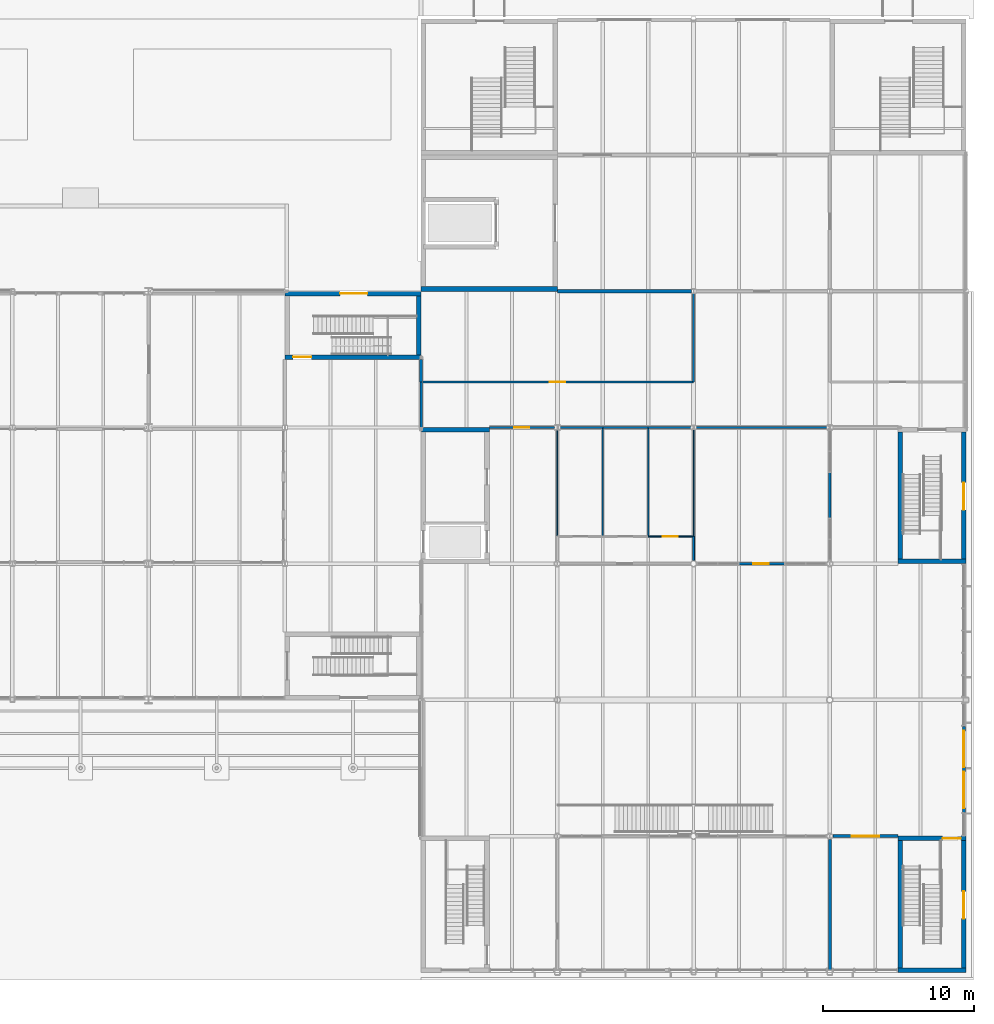
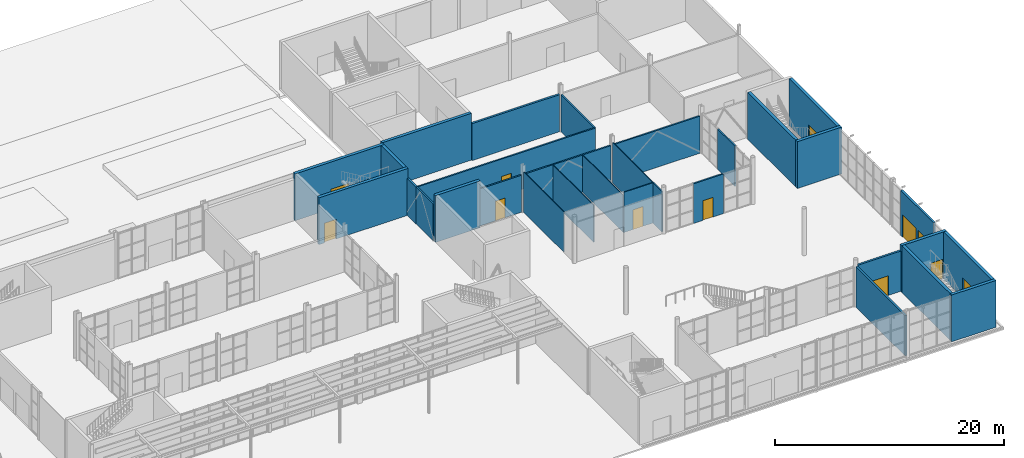
# One storey, part 39 of 63: 33 walls, 12 doors, 12 openings.
"""IFC4 building model written with IfcOpenShell, lengths in metres."""

from ifc_helpers import new_model, si_unit, direction, frame, frame_2d, origin, place, context, subcontext, project, spatial, rectangle, extrude, material, layer, layer_set, type_object, element, fill, save


model = new_model("IFC4")

# Units and contexts
model_context = context("Model", 3, precision=1e-05, world=origin(), true_north=direction((0.0, 1.0)))
body_context = subcontext(model_context, "Body", "Model", "MODEL_VIEW")
ifc_project = project(units=[si_unit("LENGTHUNIT", "METRE"), si_unit("AREAUNIT", "SQUARE_METRE"), si_unit("VOLUMEUNIT", "CUBIC_METRE"), si_unit("PLANEANGLEUNIT", "RADIAN"), si_unit("MASSUNIT", "GRAM", prefix="KILO")], contexts=[model_context])

# Site, building, storey
site_placement = place(None, origin())
site = spatial("IfcSite", under=ifc_project, at=site_placement, CompositionType="ELEMENT")
building_placement = place(site_placement, origin())
building = spatial("IfcBuilding", under=site, at=building_placement, Name="Halyard Row Museum", CompositionType="ELEMENT")
storey_placement = place(building_placement, origin())
storey = spatial("IfcBuildingStorey", under=building, at=storey_placement, Name="L00", CompositionType="ELEMENT", Elevation=0.0)

# Wall, opening, door
ifc_material_1 = material(Name="Plasterboard on steel studs with mineral wool", Category="steel")
ifc_layer_1 = layer(ifc_material_1, 0.14990234375)
ifc_layer_set_1 = layer_set([ifc_layer_1], Name="Plasterboard on steel studs with mineral wool")
wall_type_1 = type_object("IfcWallType", Name="Acoustic stud partition 150", PredefinedType="PARTITIONING", material=ifc_layer_set_1)
wall_1_placement = place(storey_placement, frame((93.0, 27.0, 0.0), z_axis=(0.0, 0.0, 1.0), x_axis=(1.0, 0.0, 0.0)))
wall_1 = element("IfcWall", 1, at=wall_1_placement, inside=storey, type_object=wall_type_1, Name="Partition Atrium / Education Studio", PredefinedType="PARTITIONING", context=body_context, shape_type="SweptSolid", body=[
    extrude(rectangle(XDim=3.0, YDim=0.14990234375, at=frame_2d((1.5, 0.0))), origin(), (0.0, 0.0, 1.0), 4.22802734375),
])
opening_1_placement = place(wall_1_placement, frame((0.949951171875, 0.0, 0.0)))
opening_1 = element("IfcOpeningElement", 2, at=opening_1_placement, cuts=wall_1, Name="Opening DL00-042", PredefinedType="OPENING", context=body_context, shape_type="SweptSolid", body=[
    extrude(rectangle(XDim=1.0, YDim=2.10009765625, at=frame_2d((0.5, 1.050048828125))), frame((0.0, 0.0849609375, 0.0), z_axis=(0.0, -1.0, 0.0), x_axis=(1.0, 0.0, 0.0)), (0.0, 0.0, 1.0), 0.169921875),
])
ifc_material_2 = material(Name="Timber veneered door leaf and softwood frame", Category="wood")
door_type_1 = type_object("IfcDoorType", Name="Single door 1000 x 2100", OperationType="NOTDEFINED", PredefinedType="DOOR", material=ifc_material_2)
door_1_placement = place(opening_1_placement, origin())
door_1 = element("IfcDoor", 3, at=door_1_placement, inside=storey, type_object=door_type_1, Name="Door Education Studio to Atrium", OperationType="SINGLE_SWING_LEFT", OverallHeight=2.10009765625, OverallWidth=1.0, PredefinedType="DOOR", context=body_context, shape_type="SweptSolid", body=[
    extrude(rectangle(XDim=1.0, YDim=2.10009765625, at=frame_2d((0.5, 1.050048828125))), frame((0.0, 0.02490234375, 0.0), z_axis=(0.0, -1.0, 0.0), x_axis=(1.0, 0.0, 0.0)), (0.0, 0.0, 1.0), 0.050048828125),
])
fill(opening_1, door_1)

# Walls
ifc_material_3 = material(Name="Plasterboard on steel studs with mineral wool", Category="steel")
ifc_layer_2 = layer(ifc_material_3, 0.14990234375)
ifc_layer_set_2 = layer_set([ifc_layer_2], Name="Plasterboard on steel studs with mineral wool")
wall_type_2 = type_object("IfcWallType", Name="Acoustic stud partition 150 fire rated", PredefinedType="PARTITIONING", material=ifc_layer_set_2)
wall_2_placement = place(storey_placement, frame((99.0, 30.016845703125, 0.0), z_axis=(0.0, 0.0, 1.0), x_axis=(0.0, 1.0, 0.0)))
element("IfcWall", 4, at=wall_2_placement, inside=storey, type_object=wall_type_2, Name="Partition Education Studio / Stair Lobby K2C", PredefinedType="PARTITIONING", context=body_context, shape_type="SweptSolid", body=[
    extrude(rectangle(XDim=3.0, YDim=0.14990234375, at=frame_2d((1.5, 0.0))), origin(), (0.0, 0.0, 1.0), 4.302001953125),
])
ifc_material_4 = material(Name="Concrete masonry 15 MPa", Category="masonry")
ifc_layer_3 = layer(ifc_material_4, 0.199951171875)
ifc_layer_set_3 = layer_set([ifc_layer_3], Name="Concrete masonry 15 MPa")
wall_type_3 = type_object("IfcWallType", Name="Blockwork wall 200 fire rated", PredefinedType="PARTITIONING", material=ifc_layer_set_3)
wall_3_placement = place(storey_placement, frame((72.0, 39.0, 0.0), z_axis=(0.0, 0.0, 1.0), x_axis=(0.0, 1.0, 0.0)))
element("IfcWall", 5, at=wall_3_placement, inside=storey, type_object=wall_type_3, Name="Partition Lift Lobby L00 West / Crate Store", PredefinedType="PARTITIONING", context=body_context, shape_type="SweptSolid", body=[
    extrude(rectangle(XDim=1.5, YDim=0.199951171875, at=frame_2d((0.75, 0.0))), origin(), (0.0, 0.0, 1.0), 3.9580078125),
])

# Wall, opening, door
wall_4_placement = place(storey_placement, frame((99.203125, 9.0, 0.0), z_axis=(0.0, 0.0, 1.0), x_axis=(1.0, 0.0, 0.0)))
wall_4 = element("IfcWall", 6, at=wall_4_placement, inside=storey, type_object=wall_type_3, Name="Partition East Entrance Hall / Cloakroom", PredefinedType="PARTITIONING", context=body_context, shape_type="SweptSolid", body=[
    extrude(rectangle(XDim=4.296875, YDim=0.199951171875, at=frame_2d((2.1484375, 0.0))), origin(), (0.0, 0.0, 1.0), 4.302001953125),
])
opening_2_placement = place(wall_4_placement, frame((1.25, 0.0, 0.0)))
opening_2 = element("IfcOpeningElement", 7, at=opening_2_placement, cuts=wall_4, Name="Opening DL00-041", PredefinedType="OPENING", context=body_context, shape_type="SweptSolid", body=[
    extrude(rectangle(XDim=1.800048828125, YDim=2.10009765625, at=frame_2d((0.89990234375, 1.050048828125))), frame((0.0, 0.10986328125, 0.0), z_axis=(0.0, -1.0, 0.0), x_axis=(1.0, 0.0, 0.0)), (0.0, 0.0, 1.0), 0.219970703125),
])
ifc_material_5 = material(Name="Timber veneered door leaf and softwood frame", Category="wood")
door_type_2 = type_object("IfcDoorType", Name="Double door 1800 x 2100 fire rated", OperationType="NOTDEFINED", PredefinedType="DOOR", material=ifc_material_5)
door_2_placement = place(opening_2_placement, frame((1.800048828125, 0.0, 0.0), z_axis=(0.0, 0.0, 1.0), x_axis=(-1.0, 0.0, 0.0)))
door_2 = element("IfcDoor", 8, at=door_2_placement, inside=storey, type_object=door_type_2, Name="Door Cloakroom to East Entrance Hall", OperationType="DOUBLE_DOOR_SINGLE_SWING", OverallHeight=2.10009765625, OverallWidth=1.800048828125, PredefinedType="DOOR", context=body_context, shape_type="SweptSolid", body=[
    extrude(rectangle(XDim=1.800048828125, YDim=2.10009765625, at=frame_2d((0.89990234375, 1.050048828125))), frame((0.0, 0.02490234375, 0.0), z_axis=(0.0, -1.0, 0.0), x_axis=(1.0, 0.0, 0.0)), (0.0, 0.0, 1.0), 0.050048828125),
])
fill(opening_2, door_2)

# Walls
wall_5_placement = place(storey_placement, frame((99.0, 0.175048828125, 0.0), z_axis=(0.0, 0.0, 1.0), x_axis=(0.0, 1.0, 0.0)))
element("IfcWall", 9, at=wall_5_placement, inside=storey, type_object=wall_type_3, Name="Partition Museum Shop / Cloakroom", PredefinedType="PARTITIONING", context=body_context, shape_type="SweptSolid", body=[
    extrude(rectangle(XDim=8.621826171875, YDim=0.199951171875, at=frame_2d((4.31103515625, 0.0))), origin(), (0.0, 0.0, 1.0), 4.302001953125),
])
wall_6_placement = place(storey_placement, frame((81.0, 45.0, 0.0), z_axis=(0.0, 0.0, 1.0), x_axis=(1.0, 0.0, 0.0)))
element("IfcWall", 10, at=wall_6_placement, inside=storey, type_object=wall_type_3, Name="Partition Crate Store / Receiving", PredefinedType="PARTITIONING", context=body_context, shape_type="SweptSolid", body=[
    extrude(rectangle(XDim=8.845458984375, YDim=0.199951171875, at=frame_2d((4.4228515625, 0.0))), origin(), (0.0, 0.0, 1.0), 3.9580078125),
])
ifc_material_6 = material(Name="Fire-resisting plasterboard on steel studs", Category="steel")
ifc_layer_4 = layer(ifc_material_6, 0.14990234375)
ifc_layer_set_4 = layer_set([ifc_layer_4], Name="Fire-resisting plasterboard on steel studs")
wall_type_4 = type_object("IfcWallType", Name="Compartment wall 150 fire rated", PredefinedType="PARTITIONING", material=ifc_layer_set_4)
wall_7_placement = place(storey_placement, frame((72.0, 36.0, 0.0), z_axis=(0.0, 0.0, 1.0), x_axis=(0.0, 1.0, 0.0)))
element("IfcWall", 11, at=wall_7_placement, inside=storey, type_object=wall_type_4, Name="Partition Lift Lobby L00 West / Object Route", PredefinedType="PARTITIONING", context=body_context, shape_type="SweptSolid", body=[
    extrude(rectangle(XDim=3.0, YDim=0.14990234375, at=frame_2d((1.5, 0.0))), origin(), (0.0, 0.0, 1.0), 3.9580078125),
])

# Wall, opening, door
wall_8_placement = place(storey_placement, frame((76.5, 36.0, 0.0), z_axis=(0.0, 0.0, 1.0), x_axis=(1.0, 0.0, 0.0)))
wall_8 = element("IfcWall", 12, at=wall_8_placement, inside=storey, type_object=wall_type_4, Name="Partition Lift Lobby L00 East / Object Route", PredefinedType="PARTITIONING", context=body_context, shape_type="SweptSolid", body=[
    extrude(rectangle(XDim=4.324951171875, YDim=0.14990234375, at=frame_2d((2.16259765625, 0.0))), origin(), (0.0, 0.0, 1.0), 3.9580078125),
])
opening_3_placement = place(wall_8_placement, frame((1.655029296875, 0.0, 0.0)))
opening_3 = element("IfcOpeningElement", 13, at=opening_3_placement, cuts=wall_8, Name="Opening DL00-032", PredefinedType="OPENING", context=body_context, shape_type="SweptSolid", body=[
    extrude(rectangle(XDim=1.0, YDim=2.10009765625, at=frame_2d((0.5, 1.050048828125))), frame((0.0, 0.0849609375, 0.0), z_axis=(0.0, -1.0, 0.0), x_axis=(1.0, 0.0, 0.0)), (0.0, 0.0, 1.0), 0.169921875),
])
ifc_material_7 = material(Name="Fire-resisting timber door leaf and steel frame", Category="steel")
door_type_3 = type_object("IfcDoorType", Name="Compartment door 1000 x 2100 fire rated", OperationType="NOTDEFINED", PredefinedType="DOOR", material=ifc_material_7)
door_3_placement = place(opening_3_placement, origin())
door_3 = element("IfcDoor", 14, at=door_3_placement, inside=storey, type_object=door_type_3, Name="Door Lift Lobby L00 East to Object Route", OperationType="SINGLE_SWING_RIGHT", OverallHeight=2.10009765625, OverallWidth=1.0, PredefinedType="DOOR", context=body_context, shape_type="SweptSolid", body=[
    extrude(rectangle(XDim=1.0, YDim=2.10009765625, at=frame_2d((0.5, 1.050048828125))), frame((0.0, 0.02490234375, 0.0), z_axis=(0.0, -1.0, 0.0), x_axis=(1.0, 0.0, 0.0)), (0.0, 0.0, 1.0), 0.050048828125),
])
fill(opening_3, door_3)

# Wall
wall_9_placement = place(storey_placement, frame((90.155517578125, 36.0, 0.0), z_axis=(0.0, 0.0, 1.0), x_axis=(1.0, 0.0, 0.0)))
element("IfcWall", 15, at=wall_9_placement, inside=storey, type_object=wall_type_4, Name="Partition Education Studio / Object Route", PredefinedType="PARTITIONING", context=body_context, shape_type="SweptSolid", body=[
    extrude(rectangle(XDim=8.66943359375, YDim=0.14990234375, at=frame_2d((4.334716796875, 0.0))), origin(), (0.0, 0.0, 1.0), 3.9580078125),
])

# Wall, opening, door
wall_10_placement = place(storey_placement, frame((72.0, 39.0, 0.0), z_axis=(0.0, 0.0, 1.0), x_axis=(1.0, 0.0, 0.0)))
wall_10 = element("IfcWall", 16, at=wall_10_placement, inside=storey, type_object=wall_type_4, Name="Partition Object Route / Crate Store", PredefinedType="PARTITIONING", context=body_context, shape_type="SweptSolid", body=[
    extrude(rectangle(XDim=18.0, YDim=0.14990234375, at=frame_2d((9.0, 0.0))), origin(), (0.0, 0.0, 1.0), 3.9580078125),
])
opening_4_placement = place(wall_10_placement, frame((8.510009765625, 0.0, 0.0)))
opening_4 = element("IfcOpeningElement", 17, at=opening_4_placement, cuts=wall_10, Name="Opening DL00-043", PredefinedType="OPENING", context=body_context, shape_type="SweptSolid", body=[
    extrude(rectangle(XDim=1.0, YDim=2.10009765625, at=frame_2d((0.5, 1.050048828125))), frame((0.0, 0.0849609375, 0.0), z_axis=(0.0, -1.0, 0.0), x_axis=(1.0, 0.0, 0.0)), (0.0, 0.0, 1.0), 0.169921875),
])
door_4_placement = place(opening_4_placement, origin())
door_4 = element("IfcDoor", 18, at=door_4_placement, inside=storey, type_object=door_type_3, Name="Door Crate Store to Object Route", OperationType="SINGLE_SWING_RIGHT", OverallHeight=2.10009765625, OverallWidth=1.0, PredefinedType="DOOR", context=body_context, shape_type="SweptSolid", body=[
    extrude(rectangle(XDim=1.0, YDim=2.10009765625, at=frame_2d((0.5, 1.050048828125))), frame((0.0, 0.02490234375, 0.0), z_axis=(0.0, -1.0, 0.0), x_axis=(1.0, 0.0, 0.0)), (0.0, 0.0, 1.0), 0.050048828125),
])
fill(opening_4, door_4)

# Walls
wall_11_placement = place(storey_placement, frame((90.0, 39.0, 0.0), z_axis=(0.0, 0.0, 1.0), x_axis=(0.0, 1.0, 0.0)))
element("IfcWall", 19, at=wall_11_placement, inside=storey, type_object=wall_type_4, Name="Partition Object Route / Crate Store", PredefinedType="PARTITIONING", context=body_context, shape_type="SweptSolid", body=[
    extrude(rectangle(XDim=5.839599609375, YDim=0.14990234375, at=frame_2d((2.919921875, 0.0))), origin(), (0.0, 0.0, 1.0), 3.9580078125),
])
wall_12_placement = place(storey_placement, frame((81.175048828125, 36.0, 0.0), z_axis=(0.0, 0.0, 1.0), x_axis=(1.0, 0.0, 0.0)))
element("IfcWall", 20, at=wall_12_placement, inside=storey, type_object=wall_type_4, Name="Partition Object Route / WC Women L00 Atrium", PredefinedType="PARTITIONING", context=body_context, shape_type="SweptSolid", body=[
    extrude(rectangle(XDim=2.824951171875, YDim=0.14990234375, at=frame_2d((1.41259765625, 0.0))), origin(), (0.0, 0.0, 1.0), 3.9580078125),
])
wall_13_placement = place(storey_placement, frame((84.0, 36.0, 0.0), z_axis=(0.0, 0.0, 1.0), x_axis=(1.0, 0.0, 0.0)))
element("IfcWall", 21, at=wall_13_placement, inside=storey, type_object=wall_type_4, Name="Partition Object Route / WC Men L00 Atrium", PredefinedType="PARTITIONING", context=body_context, shape_type="SweptSolid", body=[
    extrude(rectangle(XDim=3.0, YDim=0.14990234375, at=frame_2d((1.5, 0.0))), origin(), (0.0, 0.0, 1.0), 3.9580078125),
])
wall_14_placement = place(storey_placement, frame((87.0, 36.0, 0.0), z_axis=(0.0, 0.0, 1.0), x_axis=(1.0, 0.0, 0.0)))
element("IfcWall", 22, at=wall_14_placement, inside=storey, type_object=wall_type_4, Name="Partition Object Route / Accessible WC L00 Atrium", PredefinedType="PARTITIONING", context=body_context, shape_type="SweptSolid", body=[
    extrude(rectangle(XDim=2.844482421875, YDim=0.14990234375, at=frame_2d((1.42236328125, 0.0))), origin(), (0.0, 0.0, 1.0), 3.9580078125),
])
ifc_material_8 = material(Name="Concrete 40 MPa", Category="concrete")
ifc_layer_5 = layer(ifc_material_8, 0.300048828125)
ifc_layer_set_5 = layer_set([ifc_layer_5], Name="Concrete 40 MPa")
wall_type_5 = type_object("IfcWallType", Name="Core wall 300 lift shaft", PredefinedType="SOLIDWALL", material=ifc_layer_set_5)
wall_15_placement = place(storey_placement, frame((72.0, 45.14990234375, 0.0), z_axis=(0.0, 0.0, 1.0), x_axis=(1.0, 0.0, 0.0)))
element("IfcWall", 23, at=wall_15_placement, inside=storey, type_object=wall_type_5, Name="Core wall K8 S L00", PredefinedType="SOLIDWALL", context=body_context, shape_type="SweptSolid", body=[
    extrude(rectangle(XDim=9.0, YDim=0.300048828125, at=frame_2d((4.5, 0.0))), origin(), (0.0, 0.0, 1.0), 5.0),
])
wall_16_placement = place(storey_placement, frame((72.0, 35.85009765625, 0.0), z_axis=(0.0, 0.0, 1.0), x_axis=(1.0, 0.0, 0.0)))
element("IfcWall", 24, at=wall_16_placement, inside=storey, type_object=wall_type_5, Name="Core wall K7 N L00", PredefinedType="SOLIDWALL", context=body_context, shape_type="SweptSolid", body=[
    extrude(rectangle(XDim=4.5, YDim=0.300048828125, at=frame_2d((2.25, 0.0))), origin(), (0.0, 0.0, 1.0), 5.0),
])

# Wall, openings, doors
ifc_material_9 = material(Name="Powder-coated aluminium section", Category="aluminium")
ifc_layer_6 = layer(ifc_material_9, 0.199951171875)
ifc_layer_set_6 = layer_set([ifc_layer_6], Name="Powder-coated aluminium section")
wall_type_6 = type_object("IfcWallType", Name="Entrance screen frame 200 aluminium", PredefinedType="SOLIDWALL", material=ifc_layer_set_6)
wall_17_placement = place(storey_placement, frame((107.85009765625, 10.5625, 0.0), z_axis=(0.0, 0.0, 1.0), x_axis=(0.0, 1.0, 0.0)))
wall_17 = element("IfcWall", 25, at=wall_17_placement, inside=storey, type_object=wall_type_6, Name="Wall WL00-817", PredefinedType="SOLIDWALL", context=body_context, shape_type="SweptSolid", body=[
    extrude(rectangle(XDim=5.699951171875, YDim=0.199951171875, at=frame_2d((2.85009765625, 0.0))), origin(), (0.0, 0.0, 1.0), 4.8349609375),
])
opening_5_placement = place(wall_17_placement, frame((0.300048828125, 0.0, 0.0)))
opening_5 = element("IfcOpeningElement", 26, at=opening_5_placement, cuts=wall_17, Name="Opening DL00-402", PredefinedType="OPENING", context=body_context, shape_type="SweptSolid", body=[
    extrude(rectangle(XDim=2.39990234375, YDim=2.39990234375, at=frame_2d((1.199951171875, 1.199951171875))), frame((0.0, 0.10986328125, 0.0), z_axis=(0.0, -1.0, 0.0), x_axis=(1.0, 0.0, 0.0)), (0.0, 0.0, 1.0), 0.219970703125),
])
opening_6_placement = place(wall_17_placement, frame((3.0, 0.0, 0.0)))
opening_6 = element("IfcOpeningElement", 27, at=opening_6_placement, cuts=wall_17, Name="Opening DL00-403", PredefinedType="OPENING", context=body_context, shape_type="SweptSolid", body=[
    extrude(rectangle(XDim=2.39990234375, YDim=2.39990234375, at=frame_2d((1.199951171875, 1.199951171875))), frame((0.0, 0.10986328125, 0.0), z_axis=(0.0, -1.0, 0.0), x_axis=(1.0, 0.0, 0.0)), (0.0, 0.0, 1.0), 0.219970703125),
])
ifc_material_10 = material(Name="Powder-coated aluminium section", Category="aluminium")
door_type_4 = type_object("IfcDoorType", Name="Exitway door DE1 entrance double 2400 x 2400", OperationType="NOTDEFINED", PredefinedType="DOOR", material=ifc_material_10)
door_5_placement = place(opening_5_placement, frame((2.39990234375, 0.0, 0.0), z_axis=(0.0, 0.0, 1.0), x_axis=(-1.0, 0.0, 0.0)))
door_5 = element("IfcDoor", 28, at=door_5_placement, inside=storey, type_object=door_type_4, Name="Door DL00-402", OperationType="DOUBLE_DOOR_SINGLE_SWING", OverallHeight=2.39990234375, OverallWidth=2.39990234375, PredefinedType="DOOR", context=body_context, shape_type="SweptSolid", body=[
    extrude(rectangle(XDim=2.39990234375, YDim=2.39990234375, at=frame_2d((1.199951171875, 1.199951171875))), frame((0.0, 0.02490234375, 0.0), z_axis=(0.0, -1.0, 0.0), x_axis=(1.0, 0.0, 0.0)), (0.0, 0.0, 1.0), 0.050048828125),
])
fill(opening_5, door_5)
door_6_placement = place(opening_6_placement, frame((2.39990234375, 0.0, 0.0), z_axis=(0.0, 0.0, 1.0), x_axis=(-1.0, 0.0, 0.0)))
door_6 = element("IfcDoor", 29, at=door_6_placement, inside=storey, type_object=door_type_4, Name="Door DL00-403", OperationType="DOUBLE_DOOR_SINGLE_SWING", OverallHeight=2.39990234375, OverallWidth=2.39990234375, PredefinedType="DOOR", context=body_context, shape_type="SweptSolid", body=[
    extrude(rectangle(XDim=2.39990234375, YDim=2.39990234375, at=frame_2d((1.199951171875, 1.199951171875))), frame((0.0, 0.02490234375, 0.0), z_axis=(0.0, -1.0, 0.0), x_axis=(1.0, 0.0, 0.0)), (0.0, 0.0, 1.0), 0.050048828125),
])
fill(opening_6, door_6)

# Wall, opening, door
ifc_material_11 = material(Name="Concrete 40 MPa", Category="concrete")
ifc_layer_7 = layer(ifc_material_11, 0.300048828125)
ifc_layer_set_7 = layer_set([ifc_layer_7], Name="Concrete 40 MPa")
wall_type_7 = type_object("IfcWallType", Name="Exitway wall 300 reinforced concrete", PredefinedType="SOLIDWALL", material=ifc_layer_set_7)
wall_18_placement = place(storey_placement, frame((63.0, 40.64990234375, 0.0), z_axis=(0.0, 0.0, 1.0), x_axis=(1.0, 0.0, 0.0)))
wall_18 = element("IfcWall", 30, at=wall_18_placement, inside=storey, type_object=wall_type_7, Name="Core wall K1B S L00", PredefinedType="SOLIDWALL", context=body_context, shape_type="SweptSolid", body=[
    extrude(rectangle(XDim=9.0, YDim=0.300048828125, at=frame_2d((4.5, 0.0))), origin(), (0.0, 0.0, 1.0), 5.0),
])
opening_7_placement = place(wall_18_placement, frame((0.550048828125, 0.0, 0.0)))
opening_7 = element("IfcOpeningElement", 31, at=opening_7_placement, cuts=wall_18, Name="Opening DL00-004", PredefinedType="OPENING", context=body_context, shape_type="SweptSolid", body=[
    extrude(rectangle(XDim=1.199951171875, YDim=2.10009765625, at=frame_2d((0.60009765625, 1.050048828125))), frame((0.0, 0.159912109375, 0.0), z_axis=(0.0, -1.0, 0.0), x_axis=(1.0, 0.0, 0.0)), (0.0, 0.0, 1.0), 0.320068359375),
])
ifc_material_12 = material(Name="Fire-resisting timber door leaf and steel frame", Category="steel")
door_type_5 = type_object("IfcDoorType", Name="Exitway door 1200 x 2100 fire rated", OperationType="NOTDEFINED", PredefinedType="DOOR", material=ifc_material_12)
door_7_placement = place(opening_7_placement, origin())
door_7 = element("IfcDoor", 32, at=door_7_placement, inside=storey, type_object=door_type_5, Name="Exitway door K1B L00", OperationType="SINGLE_SWING_RIGHT", OverallHeight=2.10009765625, OverallWidth=1.199951171875, PredefinedType="DOOR", context=body_context, shape_type="SweptSolid", body=[
    extrude(rectangle(XDim=1.199951171875, YDim=2.10009765625, at=frame_2d((0.60009765625, 1.050048828125))), frame((0.0, 0.02490234375, 0.0), z_axis=(0.0, -1.0, 0.0), x_axis=(1.0, 0.0, 0.0)), (0.0, 0.0, 1.0), 0.050048828125),
])
fill(opening_7, door_7)

# Wall
wall_19_placement = place(storey_placement, frame((71.85009765625, 40.800048828125, 0.0), z_axis=(0.0, 0.0, 1.0), x_axis=(0.0, 1.0, 0.0)))
element("IfcWall", 33, at=wall_19_placement, inside=storey, type_object=wall_type_7, Name="Core wall K1B E L00", PredefinedType="SOLIDWALL", context=body_context, shape_type="SweptSolid", body=[
    extrude(rectangle(XDim=3.89990234375, YDim=0.300048828125, at=frame_2d((1.949951171875, 0.0))), origin(), (0.0, 0.0, 1.0), 5.0),
])

# Wall, opening, door
wall_20_placement = place(storey_placement, frame((63.0, 44.85009765625, 0.0), z_axis=(0.0, 0.0, 1.0), x_axis=(1.0, 0.0, 0.0)))
wall_20 = element("IfcWall", 34, at=wall_20_placement, inside=storey, type_object=wall_type_7, Name="Core wall K1B N L00", PredefinedType="SOLIDWALL", context=body_context, shape_type="SweptSolid", body=[
    extrude(rectangle(XDim=9.0, YDim=0.300048828125, at=frame_2d((4.5, 0.0))), origin(), (0.0, 0.0, 1.0), 5.0),
])
opening_8_placement = place(wall_20_placement, frame((3.64990234375, 0.0, 0.0)))
opening_8 = element("IfcOpeningElement", 35, at=opening_8_placement, cuts=wall_20, Name="Opening DL00-003", PredefinedType="OPENING", context=body_context, shape_type="SweptSolid", body=[
    extrude(rectangle(XDim=1.800048828125, YDim=2.10009765625, at=frame_2d((0.89990234375, 1.050048828125))), frame((0.0, 0.159912109375, 0.0), z_axis=(0.0, -1.0, 0.0), x_axis=(1.0, 0.0, 0.0)), (0.0, 0.0, 1.0), 0.320068359375),
])
ifc_material_13 = material(Name="Fire-resisting timber door leaf and steel frame", Category="steel")
door_type_6 = type_object("IfcDoorType", Name="Exitway door 1800 x 2100 fire rated", OperationType="NOTDEFINED", PredefinedType="DOOR", material=ifc_material_13)
door_8_placement = place(opening_8_placement, origin())
door_8 = element("IfcDoor", 36, at=door_8_placement, inside=storey, type_object=door_type_6, Name="Exitway door K1B exit", OperationType="DOUBLE_DOOR_SINGLE_SWING", OverallHeight=2.10009765625, OverallWidth=1.800048828125, PredefinedType="DOOR", context=body_context, shape_type="SweptSolid", body=[
    extrude(rectangle(XDim=1.800048828125, YDim=2.10009765625, at=frame_2d((0.89990234375, 1.050048828125))), frame((0.0, 0.02490234375, 0.0), z_axis=(0.0, -1.0, 0.0), x_axis=(1.0, 0.0, 0.0)), (0.0, 0.0, 1.0), 0.050048828125),
])
fill(opening_8, door_8)

# Wall
wall_21_placement = place(storey_placement, frame((103.5, 0.14990234375, 0.0), z_axis=(0.0, 0.0, 1.0), x_axis=(1.0, 0.0, 0.0)))
element("IfcWall", 37, at=wall_21_placement, inside=storey, type_object=wall_type_7, Name="Core wall K2B S L00", PredefinedType="SOLIDWALL", context=body_context, shape_type="SweptSolid", body=[
    extrude(rectangle(XDim=4.5, YDim=0.300048828125, at=frame_2d((2.25, 0.0))), origin(), (0.0, 0.0, 1.0), 5.0),
])

# Wall, opening, door
wall_22_placement = place(storey_placement, frame((107.85009765625, 0.300048828125, 0.0), z_axis=(0.0, 0.0, 1.0), x_axis=(0.0, 1.0, 0.0)))
wall_22 = element("IfcWall", 38, at=wall_22_placement, inside=storey, type_object=wall_type_7, Name="Core wall K2B E L00", PredefinedType="SOLIDWALL", context=body_context, shape_type="SweptSolid", body=[
    extrude(rectangle(XDim=8.39990234375, YDim=0.300048828125, at=frame_2d((4.199951171875, 0.0))), origin(), (0.0, 0.0, 1.0), 5.0),
])
opening_9_placement = place(wall_22_placement, frame((3.25, 0.0, 0.0)))
opening_9 = element("IfcOpeningElement", 39, at=opening_9_placement, cuts=wall_22, Name="Opening DL00-011", PredefinedType="OPENING", context=body_context, shape_type="SweptSolid", body=[
    extrude(rectangle(XDim=1.800048828125, YDim=2.10009765625, at=frame_2d((0.89990234375, 1.050048828125))), frame((0.0, 0.159912109375, 0.0), z_axis=(0.0, -1.0, 0.0), x_axis=(1.0, 0.0, 0.0)), (0.0, 0.0, 1.0), 0.320068359375),
])
door_9_placement = place(opening_9_placement, frame((1.800048828125, 0.0, 0.0), z_axis=(0.0, 0.0, 1.0), x_axis=(-1.0, 0.0, 0.0)))
door_9 = element("IfcDoor", 40, at=door_9_placement, inside=storey, type_object=door_type_6, Name="Exitway door K2B exit", OperationType="DOUBLE_DOOR_SINGLE_SWING", OverallHeight=2.10009765625, OverallWidth=1.800048828125, PredefinedType="DOOR", context=body_context, shape_type="SweptSolid", body=[
    extrude(rectangle(XDim=1.800048828125, YDim=2.10009765625, at=frame_2d((0.89990234375, 1.050048828125))), frame((0.0, 0.02490234375, 0.0), z_axis=(0.0, -1.0, 0.0), x_axis=(1.0, 0.0, 0.0)), (0.0, 0.0, 1.0), 0.050048828125),
])
fill(opening_9, door_9)

wall_23_placement = place(storey_placement, frame((103.5, 8.85009765625, 0.0), z_axis=(0.0, 0.0, 1.0), x_axis=(1.0, 0.0, 0.0)))
wall_23 = element("IfcWall", 41, at=wall_23_placement, inside=storey, type_object=wall_type_7, Name="Core wall K2B N L00", PredefinedType="SOLIDWALL", context=body_context, shape_type="SweptSolid", body=[
    extrude(rectangle(XDim=4.5, YDim=0.300048828125, at=frame_2d((2.25, 0.0))), origin(), (0.0, 0.0, 1.0), 5.0),
])
opening_10_placement = place(wall_23_placement, frame((2.949951171875, 0.0, 0.0)))
opening_10 = element("IfcOpeningElement", 42, at=opening_10_placement, cuts=wall_23, Name="Opening DL00-012", PredefinedType="OPENING", context=body_context, shape_type="SweptSolid", body=[
    extrude(rectangle(XDim=1.199951171875, YDim=2.10009765625, at=frame_2d((0.60009765625, 1.050048828125))), frame((0.0, 0.159912109375, 0.0), z_axis=(0.0, -1.0, 0.0), x_axis=(1.0, 0.0, 0.0)), (0.0, 0.0, 1.0), 0.320068359375),
])
door_10_placement = place(opening_10_placement, frame((1.199951171875, 0.0, 0.0), z_axis=(0.0, 0.0, 1.0), x_axis=(-1.0, 0.0, 0.0)))
door_10 = element("IfcDoor", 43, at=door_10_placement, inside=storey, type_object=door_type_5, Name="Exitway door K2B L00", OperationType="SINGLE_SWING_RIGHT", OverallHeight=2.10009765625, OverallWidth=1.199951171875, PredefinedType="DOOR", context=body_context, shape_type="SweptSolid", body=[
    extrude(rectangle(XDim=1.199951171875, YDim=2.10009765625, at=frame_2d((0.60009765625, 1.050048828125))), frame((0.0, 0.02490234375, 0.0), z_axis=(0.0, -1.0, 0.0), x_axis=(1.0, 0.0, 0.0)), (0.0, 0.0, 1.0), 0.050048828125),
])
fill(opening_10, door_10)

# Walls
wall_24_placement = place(storey_placement, frame((103.64990234375, 0.300048828125, 0.0), z_axis=(0.0, 0.0, 1.0), x_axis=(0.0, 1.0, 0.0)))
element("IfcWall", 44, at=wall_24_placement, inside=storey, type_object=wall_type_7, Name="Core wall K2B W L00", PredefinedType="SOLIDWALL", context=body_context, shape_type="SweptSolid", body=[
    extrude(rectangle(XDim=8.39990234375, YDim=0.300048828125, at=frame_2d((4.199951171875, 0.0))), origin(), (0.0, 0.0, 1.0), 5.0),
])
wall_25_placement = place(storey_placement, frame((103.5, 27.14990234375, 0.0), z_axis=(0.0, 0.0, 1.0), x_axis=(1.0, 0.0, 0.0)))
element("IfcWall", 45, at=wall_25_placement, inside=storey, type_object=wall_type_7, Name="Core wall K2C S L00", PredefinedType="SOLIDWALL", context=body_context, shape_type="SweptSolid", body=[
    extrude(rectangle(XDim=4.5, YDim=0.300048828125, at=frame_2d((2.25, 0.0))), origin(), (0.0, 0.0, 1.0), 5.0),
])

# Wall, opening, door
wall_26_placement = place(storey_placement, frame((107.85009765625, 27.300048828125, 0.0), z_axis=(0.0, 0.0, 1.0), x_axis=(0.0, 1.0, 0.0)))
wall_26 = element("IfcWall", 46, at=wall_26_placement, inside=storey, type_object=wall_type_7, Name="Core wall K2C E L00", PredefinedType="SOLIDWALL", context=body_context, shape_type="SweptSolid", body=[
    extrude(rectangle(XDim=8.39990234375, YDim=0.300048828125, at=frame_2d((4.199951171875, 0.0))), origin(), (0.0, 0.0, 1.0), 5.0),
])
opening_11_placement = place(wall_26_placement, frame((3.25, 0.0, 0.0)))
opening_11 = element("IfcOpeningElement", 47, at=opening_11_placement, cuts=wall_26, Name="Opening DL00-013", PredefinedType="OPENING", context=body_context, shape_type="SweptSolid", body=[
    extrude(rectangle(XDim=1.800048828125, YDim=2.10009765625, at=frame_2d((0.89990234375, 1.050048828125))), frame((0.0, 0.159912109375, 0.0), z_axis=(0.0, -1.0, 0.0), x_axis=(1.0, 0.0, 0.0)), (0.0, 0.0, 1.0), 0.320068359375),
])
door_11_placement = place(opening_11_placement, frame((1.800048828125, 0.0, 0.0), z_axis=(0.0, 0.0, 1.0), x_axis=(-1.0, 0.0, 0.0)))
door_11 = element("IfcDoor", 48, at=door_11_placement, inside=storey, type_object=door_type_6, Name="Exitway door K2C exit", OperationType="DOUBLE_DOOR_SINGLE_SWING", OverallHeight=2.10009765625, OverallWidth=1.800048828125, PredefinedType="DOOR", context=body_context, shape_type="SweptSolid", body=[
    extrude(rectangle(XDim=1.800048828125, YDim=2.10009765625, at=frame_2d((0.89990234375, 1.050048828125))), frame((0.0, 0.02490234375, 0.0), z_axis=(0.0, -1.0, 0.0), x_axis=(1.0, 0.0, 0.0)), (0.0, 0.0, 1.0), 0.050048828125),
])
fill(opening_11, door_11)

# Walls
wall_27_placement = place(storey_placement, frame((103.64990234375, 27.300048828125, 0.0), z_axis=(0.0, 0.0, 1.0), x_axis=(0.0, 1.0, 0.0)))
element("IfcWall", 49, at=wall_27_placement, inside=storey, type_object=wall_type_7, Name="Core wall K2C W L00", PredefinedType="SOLIDWALL", context=body_context, shape_type="SweptSolid", body=[
    extrude(rectangle(XDim=8.39990234375, YDim=0.300048828125, at=frame_2d((4.199951171875, 0.0))), origin(), (0.0, 0.0, 1.0), 5.0),
])
ifc_material_14 = material(Name="Plasterboard on steel studs with mineral wool", Category="steel")
ifc_layer_8 = layer(ifc_material_14, 0.125)
ifc_layer_set_8 = layer_set([ifc_layer_8], Name="Plasterboard on steel studs with mineral wool")
wall_type_8 = type_object("IfcWallType", Name="Stud partition 125 fire rated", PredefinedType="PARTITIONING", material=ifc_layer_set_8)
wall_28_placement = place(storey_placement, frame((90.0, 27.203125, 0.0), z_axis=(0.0, 0.0, 1.0), x_axis=(0.0, 1.0, 0.0)))
element("IfcWall", 50, at=wall_28_placement, inside=storey, type_object=wall_type_8, Name="Partition Education Studio / WC Lobby L00 Atrium", PredefinedType="PARTITIONING", context=body_context, shape_type="SweptSolid", body=[
    extrude(rectangle(XDim=1.596923828125, YDim=0.125, at=frame_2d((0.79833984375, 0.0))), origin(), (0.0, 0.0, 1.0), 4.302001953125),
])
ifc_material_15 = material(Name="Plasterboard on steel studs with mineral wool", Category="steel")
ifc_layer_9 = layer(ifc_material_15, 0.074951171875)
ifc_layer_set_9 = layer_set([ifc_layer_9], Name="Plasterboard on steel studs with mineral wool")
wall_type_9 = type_object("IfcWallType", Name="WC cubicle partition 75", PredefinedType="PARTITIONING", material=ifc_layer_set_9)
wall_29_placement = place(storey_placement, frame((90.0, 28.800048828125, 0.0), z_axis=(0.0, 0.0, 1.0), x_axis=(0.0, 1.0, 0.0)))
element("IfcWall", 51, at=wall_29_placement, inside=storey, type_object=wall_type_9, Name="Partition Education Studio / Accessible WC L00 Atrium", PredefinedType="PARTITIONING", context=body_context, shape_type="SweptSolid", body=[
    extrude(rectangle(XDim=7.036376953125, YDim=0.074951171875, at=frame_2d((3.51806640625, 0.0))), origin(), (0.0, 0.0, 1.0), 4.302001953125),
])
for number, where, z_axis, x_axis, name in (
    (52, (84.0, 28.800048828125, 0.0), (0.0, 0.0, 1.0), (0.0, 1.0, 0.0), "Partition WC Women L00 Atrium / WC Men L00 Atrium"),
    (53, (87.0, 28.800048828125, 0.0), (0.0, 0.0, 1.0), (0.0, 1.0, 0.0), "Partition WC Men L00 Atrium / Accessible WC L00 Atrium"),
):
    element("IfcWall", number, at=place(storey_placement, frame(where, z_axis=z_axis, x_axis=x_axis)), inside=storey, type_object=wall_type_9, Name=name, PredefinedType="PARTITIONING", context=body_context, shape_type="SweptSolid", body=[
        extrude(rectangle(XDim=7.199951171875, YDim=0.074951171875, at=frame_2d((3.60009765625, 0.0))), origin(), (0.0, 0.0, 1.0), 3.9580078125),
    ])
ifc_material_16 = material(Name="Plasterboard on steel studs with mineral wool", Category="steel")
ifc_layer_10 = layer(ifc_material_16, 0.074951171875)
ifc_layer_set_10 = layer_set([ifc_layer_10], Name="Plasterboard on steel studs with mineral wool")
wall_type_10 = type_object("IfcWallType", Name="WC cubicle partition 75 fire rated", PredefinedType="PARTITIONING", material=ifc_layer_set_10)
wall_30_placement = place(storey_placement, frame((81.0, 28.800048828125, 0.0), z_axis=(0.0, 0.0, 1.0), x_axis=(0.0, 1.0, 0.0)))
element("IfcWall", 54, at=wall_30_placement, inside=storey, type_object=wall_type_10, Name="Partition Lift Lobby L00 East / WC Women L00 Atrium", PredefinedType="PARTITIONING", context=body_context, shape_type="SweptSolid", body=[
    extrude(rectangle(XDim=7.030517578125, YDim=0.074951171875, at=frame_2d((3.51513671875, 0.0))), origin(), (0.0, 0.0, 1.0), 4.302001953125),
])

# Wall, opening, door
wall_31_placement = place(storey_placement, frame((87.0, 28.800048828125, 0.0), z_axis=(0.0, 0.0, 1.0), x_axis=(1.0, 0.0, 0.0)))
wall_31 = element("IfcWall", 55, at=wall_31_placement, inside=storey, type_object=wall_type_10, Name="Partition WC Lobby L00 Atrium / Accessible WC L00 Atrium", PredefinedType="PARTITIONING", context=body_context, shape_type="SweptSolid", body=[
    extrude(rectangle(XDim=3.0, YDim=0.074951171875, at=frame_2d((1.5, 0.0))), origin(), (0.0, 0.0, 1.0), 4.302001953125),
])
opening_12_placement = place(wall_31_placement, frame((0.949951171875, 0.0, 0.0)))
opening_12 = element("IfcOpeningElement", 56, at=opening_12_placement, cuts=wall_31, Name="Opening DL00-051", PredefinedType="OPENING", context=body_context, shape_type="SweptSolid", body=[
    extrude(rectangle(XDim=1.0, YDim=2.10009765625, at=frame_2d((0.5, 1.050048828125))), frame((0.0, 0.04736328125, 0.0), z_axis=(0.0, -1.0, 0.0), x_axis=(1.0, 0.0, 0.0)), (0.0, 0.0, 1.0), 0.094970703125),
])
ifc_material_17 = material(Name="Timber veneered door leaf and softwood frame", Category="wood")
door_type_7 = type_object("IfcDoorType", Name="Single door 1000 x 2100 fire rated", OperationType="NOTDEFINED", PredefinedType="DOOR", material=ifc_material_17)
door_12_placement = place(opening_12_placement, origin())
door_12 = element("IfcDoor", 57, at=door_12_placement, inside=storey, type_object=door_type_7, Name="Door Accessible WC L00 Atrium to WC Lobby L00 Atrium", OperationType="SINGLE_SWING_LEFT", OverallHeight=2.10009765625, OverallWidth=1.0, PredefinedType="DOOR", context=body_context, shape_type="SweptSolid", body=[
    extrude(rectangle(XDim=1.0, YDim=2.10009765625, at=frame_2d((0.5, 1.050048828125))), frame((0.0, 0.02490234375, 0.0), z_axis=(0.0, -1.0, 0.0), x_axis=(1.0, 0.0, 0.0)), (0.0, 0.0, 1.0), 0.050048828125),
])
fill(opening_12, door_12)

save(model, "model.ifc")
